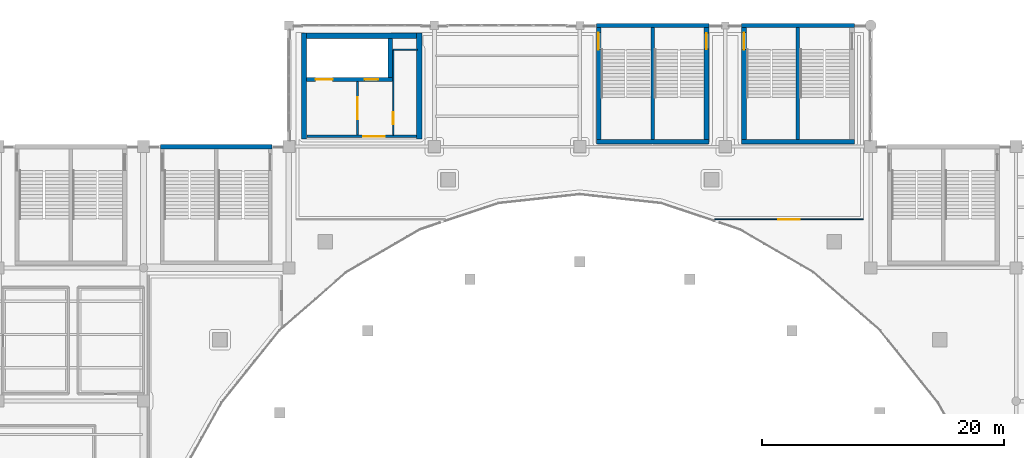
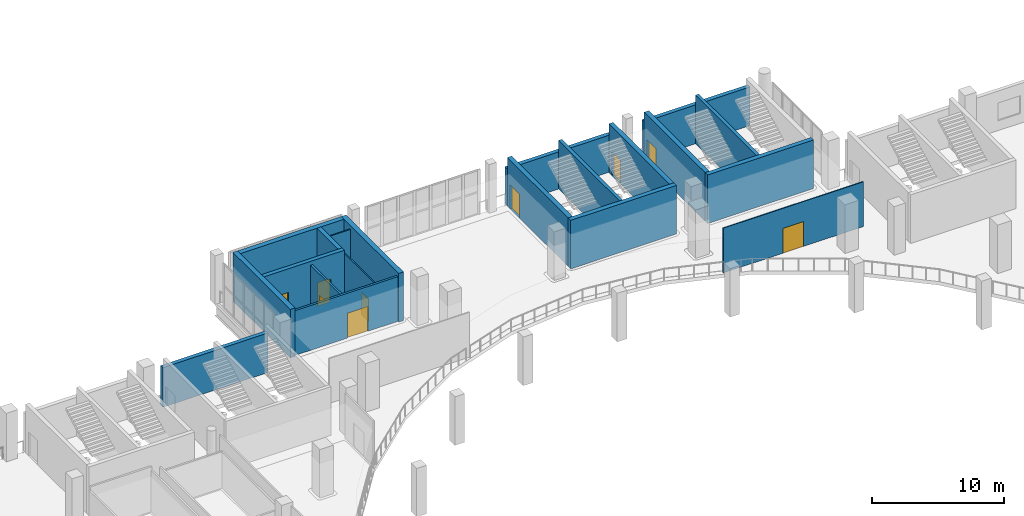
# One storey, part 83 of 108: 20 walls, 9 doors, 9 openings.
"""IFC4 building model written with IfcOpenShell, lengths in metres."""

from ifc_helpers import new_model, si_unit, direction, frame, frame_2d, origin, place, context, subcontext, project, spatial, rectangle, extrude, material, layer, layer_set, type_object, element, fill, save


model = new_model("IFC4")

# Units and contexts
model_context = context("Model", 3, precision=1e-05, world=origin(), true_north=direction((0.0, 1.0)))
body_context = subcontext(model_context, "Body", "Model", "MODEL_VIEW")
ifc_project = project(units=[si_unit("LENGTHUNIT", "METRE"), si_unit("AREAUNIT", "SQUARE_METRE"), si_unit("VOLUMEUNIT", "CUBIC_METRE"), si_unit("PLANEANGLEUNIT", "RADIAN"), si_unit("MASSUNIT", "GRAM", prefix="KILO")], contexts=[model_context])

# Site, building, storey
site_placement = place(None, origin())
site = spatial("IfcSite", under=ifc_project, at=site_placement, CompositionType="ELEMENT")
building_placement = place(site_placement, origin())
building = spatial("IfcBuilding", under=site, at=building_placement, Name="Brinegate Civic Arena", CompositionType="ELEMENT")
storey_placement = place(building_placement, frame((0.0, 0.0, 10.199951171875)))
storey = spatial("IfcBuildingStorey", under=building, at=storey_placement, Name="L02", CompositionType="ELEMENT", Elevation=10.199951171875)

# Wall, openings, doors
ifc_material_1 = material(Name="Concrete C50/60", Category="concrete")
ifc_layer_1 = layer(ifc_material_1, 0.35009765625, Name="Concrete C50/60")
ifc_layer_set_1 = layer_set([ifc_layer_1], Name="Concrete C50/60")
wall_type_1 = type_object("IfcWallType", Name="WALL-CORE-SHEAR-350", PredefinedType="SHEAR", material=ifc_layer_set_1)
wall_1_placement = place(storey_placement, frame((85.4599609375, 119.550048828125, 0.0), z_axis=(0.0, 0.0, 1.0), x_axis=(1.0, 0.0, 0.0)))
wall_1 = element("IfcWall", 1, at=wall_1_placement, inside=storey, type_object=wall_type_1, Name="Core K3 Lift Shaft Front Wall L02 (WBG-66)", PredefinedType="SHEAR", context=body_context, shape_type="SweptSolid", body=[
    extrude(rectangle(XDim=7.06494140625, YDim=0.35009765625, at=frame_2d((3.532470703125, 0.0))), origin(), (0.0, 0.0, 1.0), 4.5),
])
opening_1_placement = place(wall_1_placement, frame((0.739990234375, 0.0, 0.0)))
opening_1 = element("IfcOpeningElement", 2, at=opening_1_placement, cuts=wall_1, Name="Opening LD-FL3-L02", PredefinedType="OPENING", context=body_context, shape_type="SweptSolid", body=[
    extrude(rectangle(XDim=1.39990234375, YDim=2.300048828125, at=frame_2d((0.699951171875, 1.14990234375))), frame((0.0, 0.18505859375, 0.0), z_axis=(0.0, -1.0, 0.0), x_axis=(1.0, 0.0, 0.0)), (0.0, 0.0, 1.0), 0.3701171875),
])
opening_2_placement = place(wall_1_placement, frame((4.7900390625, 0.0, 0.0)))
opening_2 = element("IfcOpeningElement", 3, at=opening_2_placement, cuts=wall_1, Name="Opening LD-PL5-L02", PredefinedType="OPENING", context=body_context, shape_type="SweptSolid", body=[
    extrude(rectangle(XDim=1.10009765625, YDim=2.199951171875, at=frame_2d((0.550048828125, 1.10009765625))), frame((0.0, 0.18505859375, 0.0), z_axis=(0.0, -1.0, 0.0), x_axis=(1.0, 0.0, 0.0)), (0.0, 0.0, 1.0), 0.3701171875),
])
ifc_material_2 = material(Name="Architectural stainless steel balustrade", Category="steel")
door_type_1 = type_object("IfcDoorType", Name="DOOR-LIFT-1100X2200", OperationType="SLIDING_TO_LEFT", PredefinedType="DOOR", material=ifc_material_2)
door_1_placement = place(opening_2_placement, origin())
door_1 = element("IfcDoor", 4, at=door_1_placement, inside=storey, type_object=door_type_1, Name="Sliding Lift Landing Door LD-PL5-L02", OperationType="SLIDING_TO_LEFT", OverallHeight=2.199951171875, OverallWidth=1.10009765625, PredefinedType="DOOR", context=body_context, shape_type="SweptSolid", body=[
    extrude(rectangle(XDim=1.10009765625, YDim=2.199951171875, at=frame_2d((0.550048828125, 1.10009765625))), frame((0.0, 0.02490234375, 0.0), z_axis=(0.0, -1.0, 0.0), x_axis=(1.0, 0.0, 0.0)), (0.0, 0.0, 1.0), 0.050048828125),
])
fill(opening_2, door_1)
door_type_2 = type_object("IfcDoorType", Name="DOOR-LIFT-1400X2300", OperationType="SLIDING_TO_LEFT", PredefinedType="DOOR", material=ifc_material_2)
door_2_placement = place(opening_1_placement, origin())
door_2 = element("IfcDoor", 5, at=door_2_placement, inside=storey, type_object=door_type_2, Name="Sliding Lift Landing Door LD-FL3-L02", OperationType="SLIDING_TO_LEFT", OverallHeight=2.300048828125, OverallWidth=1.39990234375, PredefinedType="DOOR", context=body_context, shape_type="SweptSolid", body=[
    extrude(rectangle(XDim=1.39990234375, YDim=2.300048828125, at=frame_2d((0.699951171875, 1.14990234375))), frame((0.0, 0.02490234375, 0.0), z_axis=(0.0, -1.0, 0.0), x_axis=(1.0, 0.0, 0.0)), (0.0, 0.0, 1.0), 0.050048828125),
])
fill(opening_1, door_2)

# Walls
wall_2_placement = place(storey_placement, frame((92.35009765625, 119.72509765625, 0.0), z_axis=(0.0, 0.0, 1.0), x_axis=(0.0, 1.0, 0.0)))
element("IfcWall", 6, at=wall_2_placement, inside=storey, type_object=wall_type_1, Name="Core K3 Lift Shaft End Wall L02 (WBG-67)", PredefinedType="SHEAR", context=body_context, shape_type="SweptSolid", body=[
    extrude(rectangle(XDim=3.21484375, YDim=0.35009765625, at=frame_2d((1.607421875, 0.0))), origin(), (0.0, 0.0, 1.0), 4.5),
])
ifc_layer_2 = layer(ifc_material_1, 0.389892578125, Name="Concrete C50/60")
ifc_layer_set_2 = layer_set([ifc_layer_2], Name="Concrete C50/60")
wall_type_2 = type_object("IfcWallType", Name="WALL-CORE-SHEAR-390", PredefinedType="SHEAR", material=ifc_layer_set_2)
wall_3_placement = place(storey_placement, frame((121.35498046875, 114.39990234375, 0.0), z_axis=(0.0, 0.0, 1.0), x_axis=(1.0, 0.0, 0.0)))
element("IfcWall", 7, at=wall_3_placement, inside=storey, type_object=wall_type_2, Name="Stair ST-03 South Shear Wall L02 (WBB-72)", PredefinedType="SHEAR", context=body_context, shape_type="SweptSolid", body=[
    extrude(rectangle(XDim=9.2900390625, YDim=0.389892578125, at=frame_2d((4.64501953125, 0.0))), origin(), (0.0, 0.0, 1.0), 4.5),
])

# Wall, opening, door
wall_4_placement = place(storey_placement, frame((121.550048828125, 114.594970703125, 0.0), z_axis=(0.0, 0.0, 1.0), x_axis=(0.0, 1.0, 0.0)))
wall_4 = element("IfcWall", 8, at=wall_4_placement, inside=storey, type_object=wall_type_2, Name="Stair ST-03 West Shear Wall L02 (WBB-74)", PredefinedType="SHEAR", context=body_context, shape_type="SweptSolid", body=[
    extrude(rectangle(XDim=9.22998046875, YDim=0.389892578125, at=frame_2d((4.614990234375, 0.0))), origin(), (0.0, 0.0, 1.0), 4.5),
])
opening_3_placement = place(wall_4_placement, frame((7.405029296875, 0.0, 0.0)))
opening_3 = element("IfcOpeningElement", 9, at=opening_3_placement, cuts=wall_4, Name="Opening D-ST03A-L02", PredefinedType="OPENING", context=body_context, shape_type="SweptSolid", body=[
    extrude(rectangle(XDim=1.39990234375, YDim=2.199951171875, at=frame_2d((0.699951171875, 1.10009765625))), frame((0.0, 0.204833984375, 0.0), z_axis=(0.0, -1.0, 0.0), x_axis=(1.0, 0.0, 0.0)), (0.0, 0.0, 1.0), 0.409912109375),
])
ifc_material_3 = material(Name="Galvanized hurricane steel", Category="steel")
door_type_3 = type_object("IfcDoorType", Name="DOOR-STAIR-2400X2200", OperationType="NOTDEFINED", PredefinedType="DOOR", material=ifc_material_3)
door_3_placement = place(opening_3_placement, frame((1.39990234375, 0.0, 0.0), z_axis=(0.0, 0.0, 1.0), x_axis=(-1.0, 0.0, 0.0)))
door_3 = element("IfcDoor", 10, at=door_3_placement, inside=storey, type_object=door_type_3, Name="Protected Exit Stair Door D-ST03A-L02", OperationType="DOUBLE_DOOR_SINGLE_SWING", OverallHeight=2.199951171875, OverallWidth=1.39990234375, PredefinedType="DOOR", context=body_context, shape_type="SweptSolid", body=[
    extrude(rectangle(XDim=1.39990234375, YDim=2.199951171875, at=frame_2d((0.699951171875, 1.10009765625))), frame((0.0, 0.02490234375, 0.0), z_axis=(0.0, -1.0, 0.0), x_axis=(1.0, 0.0, 0.0)), (0.0, 0.0, 1.0), 0.050048828125),
])
fill(opening_3, door_3)

# Wall
wall_5_placement = place(storey_placement, frame((109.35498046875, 114.39990234375, 0.0), z_axis=(0.0, 0.0, 1.0), x_axis=(1.0, 0.0, 0.0)))
element("IfcWall", 11, at=wall_5_placement, inside=storey, type_object=wall_type_2, Name="Stair ST-15 South Shear Wall L02 (WBE-90)", PredefinedType="SHEAR", context=body_context, shape_type="SweptSolid", body=[
    extrude(rectangle(XDim=9.2900390625, YDim=0.389892578125, at=frame_2d((4.64501953125, 0.0))), origin(), (0.0, 0.0, 1.0), 4.5),
])

# Wall, opening, door
wall_6_placement = place(storey_placement, frame((109.550048828125, 114.594970703125, 0.0), z_axis=(0.0, 0.0, 1.0), x_axis=(0.0, 1.0, 0.0)))
wall_6 = element("IfcWall", 12, at=wall_6_placement, inside=storey, type_object=wall_type_2, Name="Stair ST-15 West Shear Wall L02 (WBE-92)", PredefinedType="SHEAR", context=body_context, shape_type="SweptSolid", body=[
    extrude(rectangle(XDim=9.22998046875, YDim=0.389892578125, at=frame_2d((4.614990234375, 0.0))), origin(), (0.0, 0.0, 1.0), 4.5),
])
opening_4_placement = place(wall_6_placement, frame((7.405029296875, 0.0, 0.0)))
opening_4 = element("IfcOpeningElement", 13, at=opening_4_placement, cuts=wall_6, Name="Opening D-ST15A-L02", PredefinedType="OPENING", context=body_context, shape_type="SweptSolid", body=[
    extrude(rectangle(XDim=1.39990234375, YDim=2.199951171875, at=frame_2d((0.699951171875, 1.10009765625))), frame((0.0, 0.204833984375, 0.0), z_axis=(0.0, -1.0, 0.0), x_axis=(1.0, 0.0, 0.0)), (0.0, 0.0, 1.0), 0.409912109375),
])
door_4_placement = place(opening_4_placement, frame((1.39990234375, 0.0, 0.0), z_axis=(0.0, 0.0, 1.0), x_axis=(-1.0, 0.0, 0.0)))
door_4 = element("IfcDoor", 14, at=door_4_placement, inside=storey, type_object=door_type_3, Name="Protected Exit Stair Door D-ST15A-L02", OperationType="DOUBLE_DOOR_SINGLE_SWING", OverallHeight=2.199951171875, OverallWidth=1.39990234375, PredefinedType="DOOR", context=body_context, shape_type="SweptSolid", body=[
    extrude(rectangle(XDim=1.39990234375, YDim=2.199951171875, at=frame_2d((0.699951171875, 1.10009765625))), frame((0.0, 0.02490234375, 0.0), z_axis=(0.0, -1.0, 0.0), x_axis=(1.0, 0.0, 0.0)), (0.0, 0.0, 1.0), 0.050048828125),
])
fill(opening_4, door_4)

wall_7_placement = place(storey_placement, frame((118.449951171875, 114.594970703125, 0.0), z_axis=(0.0, 0.0, 1.0), x_axis=(0.0, 1.0, 0.0)))
wall_7 = element("IfcWall", 15, at=wall_7_placement, inside=storey, type_object=wall_type_2, Name="Stair ST-15 East Shear Wall L02 (WBE-93)", PredefinedType="SHEAR", context=body_context, shape_type="SweptSolid", body=[
    extrude(rectangle(XDim=9.22998046875, YDim=0.389892578125, at=frame_2d((4.614990234375, 0.0))), origin(), (0.0, 0.0, 1.0), 4.5),
])
opening_5_placement = place(wall_7_placement, frame((7.445068359375, 0.0, 0.0)))
opening_5 = element("IfcOpeningElement", 16, at=opening_5_placement, cuts=wall_7, Name="Opening D-ST15B-L02", PredefinedType="OPENING", context=body_context, shape_type="SweptSolid", body=[
    extrude(rectangle(XDim=1.320068359375, YDim=2.199951171875, at=frame_2d((0.66015625, 1.10009765625))), frame((0.0, 0.204833984375, 0.0), z_axis=(0.0, -1.0, 0.0), x_axis=(1.0, 0.0, 0.0)), (0.0, 0.0, 1.0), 0.409912109375),
])
door_type_4 = type_object("IfcDoorType", Name="DOOR-STAIR-2200X2200", OperationType="NOTDEFINED", PredefinedType="DOOR", material=ifc_material_3)
door_5_placement = place(opening_5_placement, origin())
door_5 = element("IfcDoor", 17, at=door_5_placement, inside=storey, type_object=door_type_4, Name="Protected Exit Stair Door D-ST15B-L02", OperationType="DOUBLE_DOOR_SINGLE_SWING", OverallHeight=2.199951171875, OverallWidth=1.320068359375, PredefinedType="DOOR", context=body_context, shape_type="SweptSolid", body=[
    extrude(rectangle(XDim=1.320068359375, YDim=2.199951171875, at=frame_2d((0.66015625, 1.10009765625))), frame((0.0, 0.02490234375, 0.0), z_axis=(0.0, -1.0, 0.0), x_axis=(1.0, 0.0, 0.0)), (0.0, 0.0, 1.0), 0.050048828125),
])
fill(opening_5, door_5)

# Walls
ifc_layer_3 = layer(ifc_material_1, 0.419921875, Name="Concrete C50/60")
ifc_layer_set_3 = layer_set([ifc_layer_3], Name="Concrete C50/60")
wall_type_3 = type_object("IfcWallType", Name="WALL-CORE-SHEAR-420", PredefinedType="SHEAR", material=ifc_layer_set_3)
for number, where, z_axis, x_axis, name in (
    (18, (85.25, 114.639892578125, 0.0), (0.0, 0.0, 1.0), (0.0, 1.0, 0.0), "Core K3 West Shear Wall L02 (WBG-63)"),
    (19, (94.75, 114.639892578125, 0.0), (0.0, 0.0, 1.0), (0.0, 1.0, 0.0), "Core K3 East Shear Wall L02 (WBG-64)"),
):
    element("IfcWall", number, at=place(storey_placement, frame(where, z_axis=z_axis, x_axis=x_axis)), inside=storey, type_object=wall_type_3, Name=name, PredefinedType="SHEAR", context=body_context, shape_type="SweptSolid", body=[
        extrude(rectangle(XDim=8.72021484375, YDim=0.419921875, at=frame_2d((4.360107421875, 0.0))), origin(), (0.0, 0.0, 1.0), 4.5),
    ])
wall_8_placement = place(storey_placement, frame((85.4599609375, 123.14990234375, 0.0), z_axis=(0.0, 0.0, 1.0), x_axis=(1.0, 0.0, 0.0)))
element("IfcWall", 20, at=wall_8_placement, inside=storey, type_object=wall_type_3, Name="Core K3 North Shear Wall L02 (WBG-65)", PredefinedType="SHEAR", context=body_context, shape_type="SweptSolid", body=[
    extrude(rectangle(XDim=9.080078125, YDim=0.419921875, at=frame_2d((4.5400390625, 0.0))), origin(), (0.0, 0.0, 1.0), 4.5),
])
ifc_layer_4 = layer(ifc_material_1, 0.35009765625, Name="Concrete C50/60")
ifc_layer_set_4 = layer_set([ifc_layer_4], Name="Concrete C50/60")
wall_type_4 = type_object("IfcWallType", Name="WALL-EXT-STAIR-SHEAR-350", PredefinedType="SHEAR", material=ifc_layer_set_4)
wall_9_placement = place(storey_placement, frame((121.35498046875, 124.0, 0.0), z_axis=(0.0, 0.0, 1.0), x_axis=(1.0, 0.0, 0.0)))
element("IfcWall", 21, at=wall_9_placement, inside=storey, type_object=wall_type_4, Name="Stair ST-03 North Shear Wall L02 (WBB-73)", PredefinedType="SHEAR", context=body_context, shape_type="SweptSolid", body=[
    extrude(rectangle(XDim=9.2900390625, YDim=0.35009765625, at=frame_2d((4.64501953125, 0.0))), origin(), (0.0, 0.0, 1.0), 3.5859375),
])
wall_10_placement = place(storey_placement, frame((73.405029296875, 114.0, 0.0), z_axis=(0.0, 0.0, 1.0), x_axis=(1.0, 0.0, 0.0)))
element("IfcWall", 22, at=wall_10_placement, inside=storey, type_object=wall_type_4, Name="Stair ST-11 North Shear Wall L02 (WBD-90)", PredefinedType="SHEAR", context=body_context, shape_type="SweptSolid", body=[
    extrude(rectangle(XDim=9.18994140625, YDim=0.35009765625, at=frame_2d((4.594970703125, 0.0))), origin(), (0.0, 0.0, 1.0), 3.6640625),
])
wall_11_placement = place(storey_placement, frame((109.35498046875, 124.0, 0.0), z_axis=(0.0, 0.0, 1.0), x_axis=(1.0, 0.0, 0.0)))
element("IfcWall", 23, at=wall_11_placement, inside=storey, type_object=wall_type_4, Name="Stair ST-15 North Shear Wall L02 (WBE-91)", PredefinedType="SHEAR", context=body_context, shape_type="SweptSolid", body=[
    extrude(rectangle(XDim=9.2900390625, YDim=0.35009765625, at=frame_2d((4.64501953125, 0.0))), origin(), (0.0, 0.0, 1.0), 3.43701171875),
])

# Wall, opening, door
ifc_material_4 = material(Name="Fire-rated gypsum partition assembly")
ifc_layer_5 = layer(ifc_material_4, 0.090087890625, Name="Fire-rated gypsum partition assembly")
ifc_layer_set_5 = layer_set([ifc_layer_5], Name="Fire-rated gypsum partition assembly")
wall_type_5 = type_object("IfcWallType", Name="WALL-PART-LIGHT-090", PredefinedType="PARTITIONING", material=ifc_layer_set_5)
wall_12_placement = place(storey_placement, frame((131.39990234375, 108.0, 0.0), z_axis=(0.0, 0.0, 1.0), x_axis=(-1.0, 0.0, 0.0)))
wall_12 = element("IfcWall", 24, at=wall_12_placement, inside=storey, type_object=wall_type_5, Name="Civic Architecture Exhibition Hall Partition Wall E123 (WBJ-22)", PredefinedType="PARTITIONING", context=body_context, shape_type="SweptSolid", body=[
    extrude(rectangle(XDim=12.27978515625, YDim=0.090087890625, at=frame_2d((6.139892578125, 0.0))), origin(), (0.0, 0.0, 1.0), 4.150146484375),
])
opening_6_placement = place(wall_12_placement, frame((5.239990234375, 0.0, 0.0)))
opening_6 = element("IfcOpeningElement", 25, at=opening_6_placement, cuts=wall_12, Name="Opening D-L02-183", PredefinedType="OPENING", context=body_context, shape_type="SweptSolid", body=[
    extrude(rectangle(XDim=1.800048828125, YDim=2.300048828125, at=frame_2d((0.89990234375, 1.14990234375))), frame((0.0, 0.054931640625, 0.0), z_axis=(0.0, -1.0, 0.0), x_axis=(1.0, 0.0, 0.0)), (0.0, 0.0, 1.0), 0.110107421875),
])
ifc_material_5 = material(Name="Marine grade aluminium", Category="aluminium")
door_type_5 = type_object("IfcDoorType", Name="DOOR-CONC-1800X2300", OperationType="NOTDEFINED", PredefinedType="DOOR", material=ifc_material_5)
door_6_placement = place(opening_6_placement, origin())
door_6 = element("IfcDoor", 26, at=door_6_placement, inside=storey, type_object=door_type_5, Name="Civic Architecture Exhibition Hall Door D-L02-183", OperationType="DOUBLE_DOOR_SINGLE_SWING", OverallHeight=2.300048828125, OverallWidth=1.800048828125, PredefinedType="DOOR", context=body_context, shape_type="SweptSolid", body=[
    extrude(rectangle(XDim=1.800048828125, YDim=2.300048828125, at=frame_2d((0.89990234375, 1.14990234375))), frame((0.0, 0.02490234375, 0.0), z_axis=(0.0, -1.0, 0.0), x_axis=(1.0, 0.0, 0.0)), (0.0, 0.0, 1.0), 0.050048828125),
])
fill(opening_6, door_6)

ifc_material_6 = material(Name="Concrete blockwork masonry", Category="masonry")
ifc_layer_6 = layer(ifc_material_6, 0.18994140625, Name="Concrete blockwork masonry")
ifc_layer_set_6 = layer_set([ifc_layer_6], Name="Concrete blockwork masonry")
wall_type_6 = type_object("IfcWallType", Name="WALL-PART-RATED-190", PredefinedType="PARTITIONING", material=ifc_layer_set_6)
wall_13_placement = place(storey_placement, frame((85.469970703125, 114.85009765625, 0.0), z_axis=(0.0, 0.0, 1.0), x_axis=(1.0, 0.0, 0.0)))
wall_13 = element("IfcWall", 27, at=wall_13_placement, inside=storey, type_object=wall_type_6, Name="Core K3 Concourse Lobby Wall L02 (WBG-68)", PredefinedType="PARTITIONING", context=body_context, shape_type="SweptSolid", body=[
    extrude(rectangle(XDim=9.06005859375, YDim=0.18994140625, at=frame_2d((4.530029296875, 0.0))), origin(), (0.0, 0.0, 1.0), 4.150146484375),
])
opening_7_placement = place(wall_13_placement, frame((4.64990234375, 0.0, 0.0)))
opening_7 = element("IfcOpeningElement", 28, at=opening_7_placement, cuts=wall_13, Name="Opening D-K3L-L02", PredefinedType="OPENING", context=body_context, shape_type="SweptSolid", body=[
    extrude(rectangle(XDim=1.800048828125, YDim=2.300048828125, at=frame_2d((0.89990234375, 1.14990234375))), frame((0.0, 0.10498046875, 0.0), z_axis=(0.0, -1.0, 0.0), x_axis=(1.0, 0.0, 0.0)), (0.0, 0.0, 1.0), 0.2099609375),
])
door_7_placement = place(opening_7_placement, origin())
door_7 = element("IfcDoor", 29, at=door_7_placement, inside=storey, type_object=door_type_5, Name="Lift Lobby Door D-K3L-L02", OperationType="DOUBLE_DOOR_SINGLE_SWING", OverallHeight=2.300048828125, OverallWidth=1.800048828125, PredefinedType="DOOR", context=body_context, shape_type="SweptSolid", body=[
    extrude(rectangle(XDim=1.800048828125, YDim=2.300048828125, at=frame_2d((0.89990234375, 1.14990234375))), frame((0.0, 0.02490234375, 0.0), z_axis=(0.0, -1.0, 0.0), x_axis=(1.0, 0.0, 0.0)), (0.0, 0.0, 1.0), 0.050048828125),
])
fill(opening_7, door_7)

wall_14_placement = place(storey_placement, frame((89.64990234375, 114.949951171875, 0.0), z_axis=(0.0, 0.0, 1.0), x_axis=(0.0, 1.0, 0.0)))
wall_14 = element("IfcWall", 30, at=wall_14_placement, inside=storey, type_object=wall_type_6, Name="Firefighting Lobby K3 Wall L02 (WBG-69)", PredefinedType="PARTITIONING", context=body_context, shape_type="SweptSolid", body=[
    extrude(rectangle(XDim=4.425048828125, YDim=0.18994140625, at=frame_2d((2.21240234375, 0.0))), origin(), (0.0, 0.0, 1.0), 4.150146484375),
])
opening_8_placement = place(wall_14_placement, frame((1.31298828125, 0.0, 0.0)))
opening_8 = element("IfcOpeningElement", 31, at=opening_8_placement, cuts=wall_14, Name="Opening D-K3F-L02", PredefinedType="OPENING", context=body_context, shape_type="SweptSolid", body=[
    extrude(rectangle(XDim=1.800048828125, YDim=2.199951171875, at=frame_2d((0.89990234375, 1.10009765625))), frame((0.0, 0.10498046875, 0.0), z_axis=(0.0, -1.0, 0.0), x_axis=(1.0, 0.0, 0.0)), (0.0, 0.0, 1.0), 0.2099609375),
])
door_type_6 = type_object("IfcDoorType", Name="DOOR-FFLOB-1800X2200", OperationType="NOTDEFINED", PredefinedType="DOOR", material=ifc_material_3)
door_8_placement = place(opening_8_placement, origin())
door_8 = element("IfcDoor", 32, at=door_8_placement, inside=storey, type_object=door_type_6, Name="Firefighting Lift Lobby Door D-K3F-L02", OperationType="DOUBLE_DOOR_SINGLE_SWING", OverallHeight=2.199951171875, OverallWidth=1.800048828125, PredefinedType="DOOR", context=body_context, shape_type="SweptSolid", body=[
    extrude(rectangle(XDim=1.800048828125, YDim=2.199951171875, at=frame_2d((0.89990234375, 1.10009765625))), frame((0.0, 0.02490234375, 0.0), z_axis=(0.0, -1.0, 0.0), x_axis=(1.0, 0.0, 0.0)), (0.0, 0.0, 1.0), 0.050048828125),
])
fill(opening_8, door_8)

ifc_layer_7 = layer(ifc_material_6, 0.10009765625, Name="Concrete blockwork masonry")
ifc_layer_set_7 = layer_set([ifc_layer_7], Name="Concrete blockwork masonry")
wall_type_7 = type_object("IfcWallType", Name="WALL-PART-WET-100", PredefinedType="PARTITIONING", material=ifc_layer_set_7)
wall_15_placement = place(storey_placement, frame((92.60009765625, 114.949951171875, 0.0), z_axis=(0.0, 0.0, 1.0), x_axis=(0.0, 1.0, 0.0)))
wall_15 = element("IfcWall", 33, at=wall_15_placement, inside=storey, type_object=wall_type_7, Name="Accessible WC K3 Partition L02 (WBG-70)", PredefinedType="PARTITIONING", context=body_context, shape_type="SweptSolid", body=[
    extrude(rectangle(XDim=7.050048828125, YDim=0.10009765625, at=frame_2d((3.52490234375, 0.0))), origin(), (0.0, 0.0, 1.0), 4.150146484375),
])
opening_9_placement = place(wall_15_placement, frame((0.89990234375, 0.0, 0.0)))
opening_9 = element("IfcOpeningElement", 34, at=opening_9_placement, cuts=wall_15, Name="Opening D-K3W-L02", PredefinedType="OPENING", context=body_context, shape_type="SweptSolid", body=[
    extrude(rectangle(XDim=1.0, YDim=2.10009765625, at=frame_2d((0.5, 1.050048828125))), frame((0.0, 0.06005859375, 0.0), z_axis=(0.0, -1.0, 0.0), x_axis=(1.0, 0.0, 0.0)), (0.0, 0.0, 1.0), 0.1201171875),
])
ifc_material_7 = material(Name="Hardwood acoustic timber door", Category="wood")
door_type_7 = type_object("IfcDoorType", Name="DOOR-AWC-1000X2100", OperationType="NOTDEFINED", PredefinedType="DOOR", material=ifc_material_7)
door_9_placement = place(opening_9_placement, origin())
door_9 = element("IfcDoor", 35, at=door_9_placement, inside=storey, type_object=door_type_7, Name="Accessible WC Door D-K3W-L02", OperationType="SINGLE_SWING_LEFT", OverallHeight=2.10009765625, OverallWidth=1.0, PredefinedType="DOOR", context=body_context, shape_type="SweptSolid", body=[
    extrude(rectangle(XDim=1.0, YDim=2.10009765625, at=frame_2d((0.5, 1.050048828125))), frame((0.0, 0.02490234375, 0.0), z_axis=(0.0, -1.0, 0.0), x_axis=(1.0, 0.0, 0.0)), (0.0, 0.0, 1.0), 0.050048828125),
])
fill(opening_9, door_9)

# Walls
wall_16_placement = place(storey_placement, frame((92.60009765625, 122.0, 0.0), z_axis=(0.0, 0.0, 1.0), x_axis=(1.0, 0.0, 0.0)))
element("IfcWall", 36, at=wall_16_placement, inside=storey, type_object=wall_type_7, Name="Accessible WC K3 Back Partition L02 (WBG-71)", PredefinedType="PARTITIONING", context=body_context, shape_type="SweptSolid", body=[
    extrude(rectangle(XDim=2.0, YDim=0.10009765625, at=frame_2d((1.0, 0.0))), origin(), (0.0, 0.0, 1.0), 4.150146484375),
])
ifc_layer_8 = layer(ifc_material_1, 0.2900390625, Name="Concrete C50/60")
ifc_layer_set_8 = layer_set([ifc_layer_8], Name="Concrete C50/60")
wall_type_8 = type_object("IfcWallType", Name="WALL-STAIR-SHEAR-290", PredefinedType="SHEAR", material=ifc_layer_set_8)
for number, where, z_axis, x_axis, name in (
    (37, (126.0, 114.594970703125, 0.0), (0.0, 0.0, 1.0), (0.0, 1.0, 0.0), "Stair ST-03 Central Dividing Shear Wall L02 (WBB-76)"),
    (38, (114.0, 114.594970703125, 0.0), (0.0, 0.0, 1.0), (0.0, 1.0, 0.0), "Stair ST-15 Central Dividing Shear Wall L02 (WBE-94)"),
):
    element("IfcWall", number, at=place(storey_placement, frame(where, z_axis=z_axis, x_axis=x_axis)), inside=storey, type_object=wall_type_8, Name=name, PredefinedType="SHEAR", context=body_context, shape_type="SweptSolid", body=[
        extrude(rectangle(XDim=9.22998046875, YDim=0.2900390625, at=frame_2d((4.614990234375, 0.0))), origin(), (0.0, 0.0, 1.0), 4.5),
    ])

save(model, "model.ifc")
